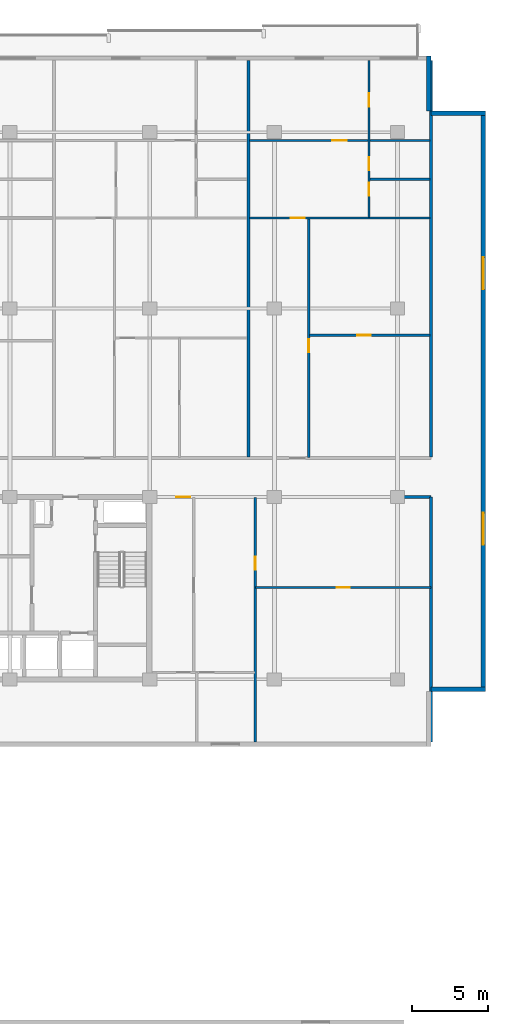
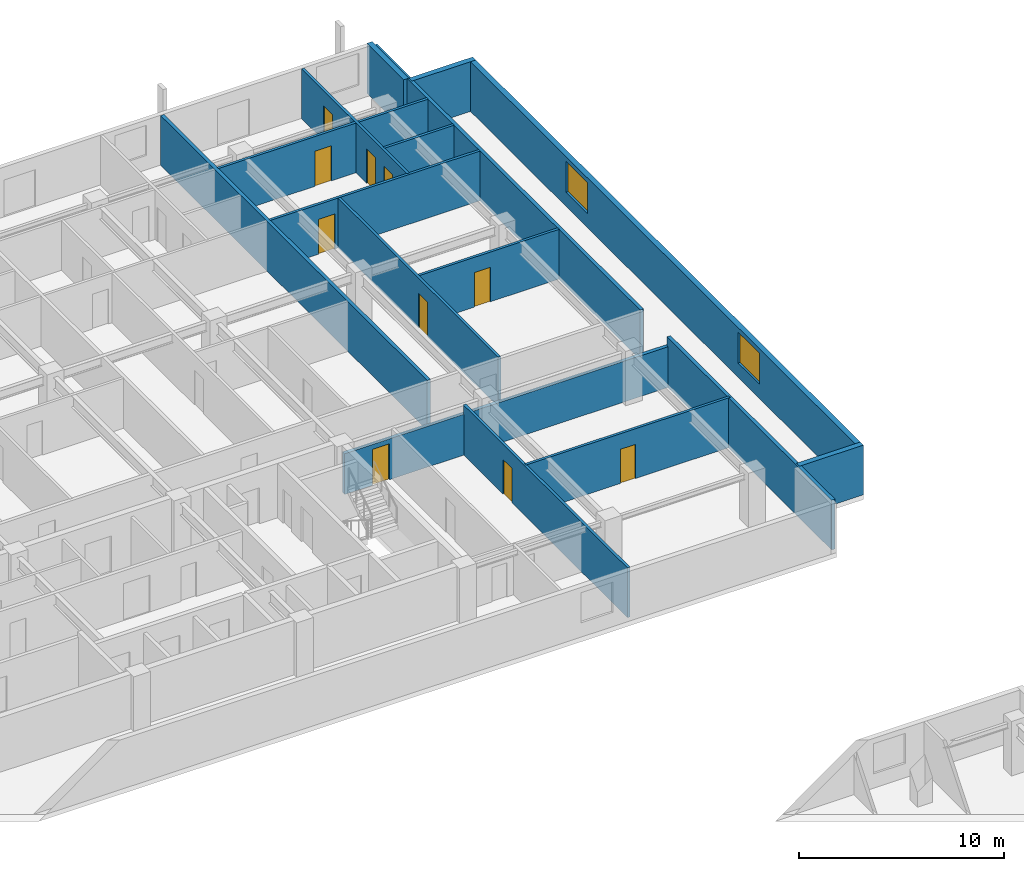
# One storey, part 15 of 21: 16 walls, 10 doors, 2 windows, 12 openings.
"""IFC4 building model written with IfcOpenShell, lengths in metres."""

from ifc_helpers import new_model, si_unit, direction, frame, frame_2d, origin, place, context, subcontext, project, spatial, rectangle, extrude, material, layer, layer_set, type_object, element, fill, save


model = new_model("IFC4")

# Units and contexts
model_context = context("Model", 3, precision=1e-05, world=origin(), true_north=direction((0.0, 1.0)))
body_context = subcontext(model_context, "Body", "Model", "MODEL_VIEW")
ifc_project = project(units=[si_unit("LENGTHUNIT", "METRE"), si_unit("AREAUNIT", "SQUARE_METRE"), si_unit("VOLUMEUNIT", "CUBIC_METRE"), si_unit("PLANEANGLEUNIT", "RADIAN"), si_unit("MASSUNIT", "GRAM", prefix="KILO")], contexts=[model_context])

# Site, building, storey
site_placement = place(None, origin())
site = spatial("IfcSite", under=ifc_project, at=site_placement, CompositionType="ELEMENT")
building_placement = place(site_placement, origin())
building = spatial("IfcBuilding", under=site, at=building_placement, Name="Korimba Cascade Residences", CompositionType="ELEMENT")
storey_placement = place(building_placement, frame((0.0, 0.0, 113.300048828125)))
storey = spatial("IfcBuildingStorey", under=building, at=storey_placement, Name="L32", CompositionType="ELEMENT", Elevation=113.300048828125)

# Wall
ifc_material_1 = material(Name="Precast concrete C40/50", Category="concrete")
ifc_layer_1 = layer(ifc_material_1, 0.300048828125)
ifc_layer_set_1 = layer_set([ifc_layer_1], Name="Precast concrete C40/50")
wall_type_1 = type_object("IfcWallType", Name="EW-STONE-300", PredefinedType="STANDARD", material=ifc_layer_set_1)
wall_1_placement = place(storey_placement, frame((130.60009765625, 54.550048828125, 0.0), z_axis=(0.0, 0.0, 1.0), x_axis=(1.0, 0.0, 0.0)))
element("IfcWall", 1, at=wall_1_placement, inside=storey, type_object=wall_type_1, Name="L32 T1 Perimeter Stone Wall E02", PredefinedType="STANDARD", context=body_context, shape_type="SweptSolid", body=[
    extrude(rectangle(XDim=3.599853515625, YDim=0.300048828125, at=frame_2d((1.7998046875, 0.0))), origin(), (0.0, 0.0, 1.0), 2.969970703125),
])

# Wall, openings, windows
wall_2_placement = place(storey_placement, frame((134.050048828125, 54.39990234375, 0.0), z_axis=(0.0, 0.0, 1.0), x_axis=(0.0, 1.0, 0.0)))
wall_2 = element("IfcWall", 2, at=wall_2_placement, inside=storey, type_object=wall_type_1, Name="L32 T1 Perimeter Stone Wall E03", PredefinedType="STANDARD", context=body_context, shape_type="SweptSolid", body=[
    extrude(rectangle(XDim=38.2001953125, YDim=0.300048828125, at=frame_2d((19.10009765625, 0.0))), origin(), (0.0, 0.0, 1.0), 2.969970703125),
])
opening_1_placement = place(wall_2_placement, frame((9.64599609375, 0.0, 0.85009765625)))
opening_1 = element("IfcOpeningElement", 3, at=opening_1_placement, cuts=wall_2, Name="Opening W-03", PredefinedType="OPENING", context=body_context, shape_type="SweptSolid", body=[
    extrude(rectangle(XDim=2.10009765625, YDim=1.85009765625, at=frame_2d((1.050048828125, 0.925048828125))), frame((0.0, 0.16015625, 0.0), z_axis=(0.0, -1.0, 0.0), x_axis=(1.0, 0.0, 0.0)), (0.0, 0.0, 1.0), 0.320068359375),
])
opening_2_placement = place(wall_2_placement, frame((26.4541015625, 0.0, 0.85009765625)))
opening_2 = element("IfcOpeningElement", 4, at=opening_2_placement, cuts=wall_2, Name="Opening W-03", PredefinedType="OPENING", context=body_context, shape_type="SweptSolid", body=[
    extrude(rectangle(XDim=2.10009765625, YDim=1.85009765625, at=frame_2d((1.050048828125, 0.925048828125))), frame((0.0, 0.16015625, 0.0), z_axis=(0.0, -1.0, 0.0), x_axis=(1.0, 0.0, 0.0)), (0.0, 0.0, 1.0), 0.320068359375),
])
ifc_material_2 = material(Name="Double-Glazed Aluminium Window", Category="aluminium")
window_type = type_object("IfcWindowType", Name="WIN-CRN-2100", PartitioningType="DOUBLE_PANEL_HORIZONTAL", PredefinedType="WINDOW", material=ifc_material_2)
window_1_placement = place(opening_1_placement, origin())
window_1 = element("IfcWindow", 5, at=window_1_placement, inside=storey, type_object=window_type, Name="L32 T1 End View Window 3.1", OverallHeight=1.85009765625, OverallWidth=2.10009765625, PartitioningType="DOUBLE_PANEL_HORIZONTAL", PredefinedType="WINDOW", context=body_context, shape_type="SweptSolid", body=[
    extrude(rectangle(XDim=2.10009765625, YDim=1.85009765625, at=frame_2d((1.050048828125, 0.925048828125))), frame((0.0, 0.030029296875, 0.0), z_axis=(0.0, -1.0, 0.0), x_axis=(1.0, 0.0, 0.0)), (0.0, 0.0, 1.0), 0.06005859375),
])
fill(opening_1, window_1)
window_2_placement = place(opening_2_placement, origin())
window_2 = element("IfcWindow", 6, at=window_2_placement, inside=storey, type_object=window_type, Name="L32 T1 End View Window 3.2", OverallHeight=1.85009765625, OverallWidth=2.10009765625, PartitioningType="DOUBLE_PANEL_HORIZONTAL", PredefinedType="WINDOW", context=body_context, shape_type="SweptSolid", body=[
    extrude(rectangle(XDim=2.10009765625, YDim=1.85009765625, at=frame_2d((1.050048828125, 0.925048828125))), frame((0.0, 0.030029296875, 0.0), z_axis=(0.0, -1.0, 0.0), x_axis=(1.0, 0.0, 0.0)), (0.0, 0.0, 1.0), 0.06005859375),
])
fill(opening_2, window_2)

# Walls
for number, where, z_axis, x_axis, name in (
    (7, (134.199951171875, 92.449951171875, 0.0), (0.0, 0.0, 1.0), (-1.0, 0.0, 0.0), "L32 T1 Perimeter Stone Wall E04"),
    (8, (130.449951171875, 92.60009765625, 0.0), (0.0, 0.0, 1.0), (0.0, 1.0, 0.0), "L32 T1 Perimeter Stone Wall E05"),
):
    element("IfcWall", number, at=place(storey_placement, frame(where, z_axis=z_axis, x_axis=x_axis)), inside=storey, type_object=wall_type_1, Name=name, PredefinedType="STANDARD", context=body_context, shape_type="SweptSolid", body=[
        extrude(rectangle(XDim=3.599853515625, YDim=0.300048828125, at=frame_2d((1.7998046875, 0.0))), origin(), (0.0, 0.0, 1.0), 2.969970703125),
    ])
ifc_layer_2 = layer(ifc_material_1, 0.199951171875)
ifc_layer_set_2 = layer_set([ifc_layer_2], Name="Precast concrete C40/50")
wall_type_2 = type_object("IfcWallType", Name="WAL-IT-200", PredefinedType="PARTITIONING", material=ifc_layer_set_2)
wall_3_placement = place(storey_placement, frame((130.60009765625, 51.10009765625, 0.0), z_axis=(0.0, 0.0, 1.0), x_axis=(0.0, 1.0, 0.0)))
element("IfcWall", 9, at=wall_3_placement, inside=storey, type_object=wall_type_2, Name="L32 Partition Wall WAL-L32-T1-FE-WR", PredefinedType="PARTITIONING", context=body_context, shape_type="SweptSolid", body=[
    extrude(rectangle(XDim=16.099853515625, YDim=0.199951171875, at=frame_2d((8.0498046875, 0.0))), origin(), (0.0, 0.0, 1.0), 2.969970703125),
])

# Wall, opening, door
wall_4_placement = place(storey_placement, frame((112.25, 67.199951171875, 0.0), z_axis=(0.0, 0.0, 1.0), x_axis=(1.0, 0.0, 0.0)))
wall_4 = element("IfcWall", 10, at=wall_4_placement, inside=storey, type_object=wall_type_2, Name="L32 Partition Wall WAL-L32-T1-FE-N", PredefinedType="PARTITIONING", context=body_context, shape_type="SweptSolid", body=[
    extrude(rectangle(XDim=18.35009765625, YDim=0.199951171875, at=frame_2d((9.175048828125, 0.0))), origin(), (0.0, 0.0, 1.0), 2.433349609375),
])
opening_3_placement = place(wall_4_placement, frame((1.580078125, 0.0, 0.0)))
opening_3 = element("IfcOpeningElement", 11, at=opening_3_placement, cuts=wall_4, Name="Opening D-UN1", PredefinedType="OPENING", context=body_context, shape_type="SweptSolid", body=[
    extrude(rectangle(XDim=0.949951171875, YDim=2.14990234375, at=frame_2d((0.47509765625, 1.074951171875))), frame((0.0, 0.10986328125, 0.0), z_axis=(0.0, -1.0, 0.0), x_axis=(1.0, 0.0, 0.0)), (0.0, 0.0, 1.0), 0.219970703125),
])
ifc_material_3 = material(Name="Fire-Rated Hardwood Apartment Entrance Door", Category="wood")
door_type_1 = type_object("IfcDoorType", Name="DR-FD60-950", OperationType="NOTDEFINED", PredefinedType="DOOR", material=ifc_material_3)
door_1_placement = place(opening_3_placement, origin())
door_1 = element("IfcDoor", 12, at=door_1_placement, inside=storey, type_object=door_type_1, Name="L32-T1-FE Entrance Door", OperationType="SINGLE_SWING_LEFT", OverallHeight=2.14990234375, OverallWidth=0.949951171875, PredefinedType="DOOR", context=body_context, shape_type="SweptSolid", body=[
    extrude(rectangle(XDim=0.949951171875, YDim=2.14990234375, at=frame_2d((0.47509765625, 1.074951171875))), frame((0.0, 0.02490234375, 0.0), z_axis=(0.0, -1.0, 0.0), x_axis=(1.0, 0.0, 0.0)), (0.0, 0.0, 1.0), 0.050048828125),
])
fill(opening_3, door_1)

# Walls
for number, where, z_axis, x_axis, name in (
    (13, (130.60009765625, 69.830078125, 0.0), (0.0, 0.0, 1.0), (0.0, 1.0, 0.0), "L32 Partition Wall WAL-L32-T1-BNDWR"),
    (14, (118.583984375, 69.830078125, 0.0), (0.0, 0.0, 1.0), (0.0, 1.0, 0.0), "L32 Partition Wall WAL-L32-T1-DEM-4"),
):
    element("IfcWall", number, at=place(storey_placement, frame(where, z_axis=z_axis, x_axis=x_axis)), inside=storey, type_object=wall_type_2, Name=name, PredefinedType="PARTITIONING", context=body_context, shape_type="SweptSolid", body=[
        extrude(rectangle(XDim=26.06982421875, YDim=0.199951171875, at=frame_2d((13.034912109375, 0.0))), origin(), (0.0, 0.0, 1.0), 2.969970703125),
    ])

# Wall, opening, door
ifc_material_4 = material(Name="Insulated Acoustic Stud Partition", Category="gypsum")
ifc_layer_3 = layer(ifc_material_4, 0.14990234375)
ifc_layer_set_3 = layer_set([ifc_layer_3], Name="Insulated Acoustic Stud Partition")
wall_type_3 = type_object("IfcWallType", Name="WAL-PART-150", PredefinedType="PARTITIONING", material=ifc_layer_set_3)
wall_5_placement = place(storey_placement, frame((119.050048828125, 61.25, 0.0), z_axis=(0.0, 0.0, 1.0), x_axis=(1.0, 0.0, 0.0)))
wall_5 = element("IfcWall", 15, at=wall_5_placement, inside=storey, type_object=wall_type_3, Name="L32 Partition Wall WAL-L32-T1-FE-STH", PredefinedType="PARTITIONING", context=body_context, shape_type="SweptSolid", body=[
    extrude(rectangle(XDim=11.550048828125, YDim=0.14990234375, at=frame_2d((5.77490234375, 0.0))), origin(), (0.0, 0.0, 1.0), 2.969970703125),
])
opening_4_placement = place(wall_5_placement, frame((5.35498046875, 0.0, 0.0)))
opening_4 = element("IfcOpeningElement", 16, at=opening_4_placement, cuts=wall_5, Name="Opening D-BT1", PredefinedType="OPENING", context=body_context, shape_type="SweptSolid", body=[
    extrude(rectangle(XDim=0.840087890625, YDim=2.0400390625, at=frame_2d((0.419921875, 1.02001953125))), frame((0.0, 0.0849609375, 0.0), z_axis=(0.0, -1.0, 0.0), x_axis=(1.0, 0.0, 0.0)), (0.0, 0.0, 1.0), 0.169921875),
])
ifc_material_5 = material(Name="Moisture-Resistant Bathroom Timber Door", Category="wood")
door_type_2 = type_object("IfcDoorType", Name="DR-INT-850", OperationType="NOTDEFINED", PredefinedType="DOOR", material=ifc_material_5)
door_2_placement = place(opening_4_placement, origin())
door_2 = element("IfcDoor", 17, at=door_2_placement, inside=storey, type_object=door_type_2, Name="L32-T1-FE Dressing Store Door", OperationType="SINGLE_SWING_RIGHT", OverallHeight=2.0400390625, OverallWidth=0.840087890625, PredefinedType="DOOR", context=body_context, shape_type="SweptSolid", body=[
    extrude(rectangle(XDim=0.840087890625, YDim=2.0400390625, at=frame_2d((0.419921875, 1.02001953125))), frame((0.0, 0.02490234375, 0.0), z_axis=(0.0, -1.0, 0.0), x_axis=(1.0, 0.0, 0.0)), (0.0, 0.0, 1.0), 0.050048828125),
])
fill(opening_4, door_2)

wall_6_placement = place(storey_placement, frame((119.050048828125, 51.10009765625, 0.0), z_axis=(0.0, 0.0, 1.0), x_axis=(0.0, 1.0, 0.0)))
wall_6 = element("IfcWall", 18, at=wall_6_placement, inside=storey, type_object=wall_type_3, Name="L32 Partition Wall WAL-L32-T1-FE-STV", PredefinedType="PARTITIONING", context=body_context, shape_type="SweptSolid", body=[
    extrude(rectangle(XDim=16.0498046875, YDim=0.14990234375, at=frame_2d((8.02490234375, 0.0))), origin(), (0.0, 0.0, 1.0), 2.969970703125),
])
opening_5_placement = place(wall_6_placement, frame((11.300048828125, 0.0, 0.0)))
opening_5 = element("IfcOpeningElement", 19, at=opening_5_placement, cuts=wall_6, Name="Opening D-IN2", PredefinedType="OPENING", context=body_context, shape_type="SweptSolid", body=[
    extrude(rectangle(XDim=0.8798828125, YDim=2.06005859375, at=frame_2d((0.43994140625, 1.030029296875))), frame((0.0, 0.0849609375, 0.0), z_axis=(0.0, -1.0, 0.0), x_axis=(1.0, 0.0, 0.0)), (0.0, 0.0, 1.0), 0.169921875),
])
ifc_material_6 = material(Name="Acoustic Timber Bedroom Door", Category="wood")
door_type_3 = type_object("IfcDoorType", Name="DR-INT-880", OperationType="NOTDEFINED", PredefinedType="DOOR", material=ifc_material_6)
door_3_placement = place(opening_5_placement, origin())
door_3 = element("IfcDoor", 20, at=door_3_placement, inside=storey, type_object=door_type_3, Name="L32-T1-FE Study Door", OperationType="SINGLE_SWING_LEFT", OverallHeight=2.06005859375, OverallWidth=0.8798828125, PredefinedType="DOOR", context=body_context, shape_type="SweptSolid", body=[
    extrude(rectangle(XDim=0.8798828125, YDim=2.06005859375, at=frame_2d((0.43994140625, 1.030029296875))), frame((0.0, 0.02490234375, 0.0), z_axis=(0.0, -1.0, 0.0), x_axis=(1.0, 0.0, 0.0)), (0.0, 0.0, 1.0), 0.050048828125),
])
fill(opening_5, door_3)

wall_7_placement = place(storey_placement, frame((122.614013671875, 77.840087890625, 0.0), z_axis=(0.0, 0.0, 1.0), x_axis=(1.0, 0.0, 0.0)))
wall_7 = element("IfcWall", 21, at=wall_7_placement, inside=storey, type_object=wall_type_3, Name="L32 Partition Wall WAL-L32-T1-U05-FMH", PredefinedType="PARTITIONING", context=body_context, shape_type="SweptSolid", body=[
    extrude(rectangle(XDim=7.906005859375, YDim=0.14990234375, at=frame_2d((3.953125, 0.0))), origin(), (0.0, 0.0, 1.0), 2.969970703125),
])
opening_6_placement = place(wall_7_placement, frame((3.133544921875, 0.0, 0.0)))
opening_6 = element("IfcOpeningElement", 22, at=opening_6_placement, cuts=wall_7, Name="Opening D-IN2", PredefinedType="OPENING", context=body_context, shape_type="SweptSolid", body=[
    extrude(rectangle(XDim=0.8798828125, YDim=2.06005859375, at=frame_2d((0.43994140625, 1.030029296875))), frame((0.0, 0.0849609375, 0.0), z_axis=(0.0, -1.0, 0.0), x_axis=(1.0, 0.0, 0.0)), (0.0, 0.0, 1.0), 0.169921875),
])
door_4_placement = place(opening_6_placement, origin())
door_4 = element("IfcDoor", 23, at=door_4_placement, inside=storey, type_object=door_type_3, Name="L32-T1-U05 Library Salon Door", OperationType="SINGLE_SWING_RIGHT", OverallHeight=2.06005859375, OverallWidth=0.8798828125, PredefinedType="DOOR", context=body_context, shape_type="SweptSolid", body=[
    extrude(rectangle(XDim=0.8798828125, YDim=2.06005859375, at=frame_2d((0.43994140625, 1.030029296875))), frame((0.0, 0.02490234375, 0.0), z_axis=(0.0, -1.0, 0.0), x_axis=(1.0, 0.0, 0.0)), (0.0, 0.0, 1.0), 0.050048828125),
])
fill(opening_6, door_4)

wall_8_placement = place(storey_placement, frame((122.553955078125, 69.81005859375, 0.0), z_axis=(0.0, 0.0, 1.0), x_axis=(0.0, 1.0, 0.0)))
wall_8 = element("IfcWall", 24, at=wall_8_placement, inside=storey, type_object=wall_type_3, Name="L32 Partition Wall WAL-L32-T1-U05-FV", PredefinedType="PARTITIONING", context=body_context, shape_type="SweptSolid", body=[
    extrude(rectangle(XDim=15.699951171875, YDim=0.14990234375, at=frame_2d((7.85009765625, 0.0))), origin(), (0.0, 0.0, 1.0), 2.969970703125),
])
opening_7_placement = place(wall_8_placement, frame((6.89990234375, 0.0, 0.0)))
opening_7 = element("IfcOpeningElement", 25, at=opening_7_placement, cuts=wall_8, Name="Opening D-IN2", PredefinedType="OPENING", context=body_context, shape_type="SweptSolid", body=[
    extrude(rectangle(XDim=0.8798828125, YDim=2.06005859375, at=frame_2d((0.43994140625, 1.030029296875))), frame((0.0, 0.0849609375, 0.0), z_axis=(0.0, -1.0, 0.0), x_axis=(1.0, 0.0, 0.0)), (0.0, 0.0, 1.0), 0.169921875),
])
door_5_placement = place(opening_7_placement, origin())
door_5 = element("IfcDoor", 26, at=door_5_placement, inside=storey, type_object=door_type_3, Name="L32-T1-U05 Media Lounge Door", OperationType="SINGLE_SWING_LEFT", OverallHeight=2.06005859375, OverallWidth=0.8798828125, PredefinedType="DOOR", context=body_context, shape_type="SweptSolid", body=[
    extrude(rectangle(XDim=0.8798828125, YDim=2.06005859375, at=frame_2d((0.43994140625, 1.030029296875))), frame((0.0, 0.02490234375, 0.0), z_axis=(0.0, -1.0, 0.0), x_axis=(1.0, 0.0, 0.0)), (0.0, 0.0, 1.0), 0.050048828125),
])
fill(opening_7, door_5)

# Wall
wall_9_placement = place(storey_placement, frame((126.580078125, 88.090087890625, 0.0), z_axis=(0.0, 0.0, 1.0), x_axis=(1.0, 0.0, 0.0)))
element("IfcWall", 27, at=wall_9_placement, inside=storey, type_object=wall_type_3, Name="L32 Partition Wall WAL-L32-T1-U05-BLDIV", PredefinedType="PARTITIONING", context=body_context, shape_type="SweptSolid", body=[
    extrude(rectangle(XDim=3.93994140625, YDim=0.14990234375, at=frame_2d((1.969970703125, 0.0))), origin(), (0.0, 0.0, 1.0), 2.969970703125),
])

# Wall, openings, doors
wall_10_placement = place(storey_placement, frame((126.52001953125, 85.590087890625, 0.0), z_axis=(0.0, 0.0, 1.0), x_axis=(0.0, 1.0, 0.0)))
wall_10 = element("IfcWall", 28, at=wall_10_placement, inside=storey, type_object=wall_type_3, Name="L32 Partition Wall WAL-L32-T1-U05-V1", PredefinedType="PARTITIONING", context=body_context, shape_type="SweptSolid", body=[
    extrude(rectangle(XDim=10.309814453125, YDim=0.14990234375, at=frame_2d((5.15478515625, 0.0))), origin(), (0.0, 0.0, 1.0), 2.969970703125),
])
opening_8_placement = place(wall_10_placement, frame((1.430419921875, 0.0, 0.0)))
opening_8 = element("IfcOpeningElement", 29, at=opening_8_placement, cuts=wall_10, Name="Opening D-BT1", PredefinedType="OPENING", context=body_context, shape_type="SweptSolid", body=[
    extrude(rectangle(XDim=0.840087890625, YDim=2.0400390625, at=frame_2d((0.419921875, 1.02001953125))), frame((0.0, 0.0849609375, 0.0), z_axis=(0.0, -1.0, 0.0), x_axis=(1.0, 0.0, 0.0)), (0.0, 0.0, 1.0), 0.169921875),
])
opening_9_placement = place(wall_10_placement, frame((3.1015625, 0.0, 0.0)))
opening_9 = element("IfcOpeningElement", 30, at=opening_9_placement, cuts=wall_10, Name="Opening D-BT1", PredefinedType="OPENING", context=body_context, shape_type="SweptSolid", body=[
    extrude(rectangle(XDim=0.840087890625, YDim=2.0400390625, at=frame_2d((0.419921875, 1.02001953125))), frame((0.0, 0.0849609375, 0.0), z_axis=(0.0, -1.0, 0.0), x_axis=(1.0, 0.0, 0.0)), (0.0, 0.0, 1.0), 0.169921875),
])
opening_10_placement = place(wall_10_placement, frame((7.28955078125, 0.0, 0.0)))
opening_10 = element("IfcOpeningElement", 31, at=opening_10_placement, cuts=wall_10, Name="Opening D-IN2", PredefinedType="OPENING", context=body_context, shape_type="SweptSolid", body=[
    extrude(rectangle(XDim=0.8798828125, YDim=2.06005859375, at=frame_2d((0.43994140625, 1.030029296875))), frame((0.0, 0.0849609375, 0.0), z_axis=(0.0, -1.0, 0.0), x_axis=(1.0, 0.0, 0.0)), (0.0, 0.0, 1.0), 0.169921875),
])
door_6_placement = place(opening_8_placement, origin())
door_6 = element("IfcDoor", 32, at=door_6_placement, inside=storey, type_object=door_type_2, Name="L32-T1-U05 Bathroom Door", OperationType="SINGLE_SWING_RIGHT", OverallHeight=2.0400390625, OverallWidth=0.840087890625, PredefinedType="DOOR", context=body_context, shape_type="SweptSolid", body=[
    extrude(rectangle(XDim=0.840087890625, YDim=2.0400390625, at=frame_2d((0.419921875, 1.02001953125))), frame((0.0, 0.02490234375, 0.0), z_axis=(0.0, -1.0, 0.0), x_axis=(1.0, 0.0, 0.0)), (0.0, 0.0, 1.0), 0.050048828125),
])
fill(opening_8, door_6)
door_7_placement = place(opening_9_placement, origin())
door_7 = element("IfcDoor", 33, at=door_7_placement, inside=storey, type_object=door_type_2, Name="L32-T1-U05 Laundry Door", OperationType="SINGLE_SWING_LEFT", OverallHeight=2.0400390625, OverallWidth=0.840087890625, PredefinedType="DOOR", context=body_context, shape_type="SweptSolid", body=[
    extrude(rectangle(XDim=0.840087890625, YDim=2.0400390625, at=frame_2d((0.419921875, 1.02001953125))), frame((0.0, 0.02490234375, 0.0), z_axis=(0.0, -1.0, 0.0), x_axis=(1.0, 0.0, 0.0)), (0.0, 0.0, 1.0), 0.050048828125),
])
fill(opening_9, door_7)
door_8_placement = place(opening_10_placement, origin())
door_8 = element("IfcDoor", 34, at=door_8_placement, inside=storey, type_object=door_type_3, Name="L32-T1-U05 Bedroom 1 Door", OperationType="SINGLE_SWING_RIGHT", OverallHeight=2.06005859375, OverallWidth=0.8798828125, PredefinedType="DOOR", context=body_context, shape_type="SweptSolid", body=[
    extrude(rectangle(XDim=0.8798828125, YDim=2.06005859375, at=frame_2d((0.43994140625, 1.030029296875))), frame((0.0, 0.02490234375, 0.0), z_axis=(0.0, -1.0, 0.0), x_axis=(1.0, 0.0, 0.0)), (0.0, 0.0, 1.0), 0.050048828125),
])
fill(opening_10, door_8)

# Wall, opening, door
wall_11_placement = place(storey_placement, frame((118.663818359375, 85.550048828125, 0.0), z_axis=(0.0, 0.0, 1.0), x_axis=(1.0, 0.0, 0.0)))
wall_11 = element("IfcWall", 35, at=wall_11_placement, inside=storey, type_object=wall_type_3, Name="L32 Partition Wall WAL-L32-T1-U05-MW", PredefinedType="PARTITIONING", context=body_context, shape_type="SweptSolid", body=[
    extrude(rectangle(XDim=11.856201171875, YDim=0.14990234375, at=frame_2d((5.92822265625, 0.0))), origin(), (0.0, 0.0, 1.0), 2.969970703125),
])
opening_11_placement = place(wall_11_placement, frame((2.719970703125, 0.0, 0.0)))
opening_11 = element("IfcOpeningElement", 36, at=opening_11_placement, cuts=wall_11, Name="Opening D-IN1", PredefinedType="OPENING", context=body_context, shape_type="SweptSolid", body=[
    extrude(rectangle(XDim=0.919921875, YDim=2.080078125, at=frame_2d((0.4599609375, 1.0400390625))), frame((0.0, 0.0849609375, 0.0), z_axis=(0.0, -1.0, 0.0), x_axis=(1.0, 0.0, 0.0)), (0.0, 0.0, 1.0), 0.169921875),
])
ifc_material_7 = material(Name="Acoustic Timber Living Door", Category="wood")
door_type_4 = type_object("IfcDoorType", Name="DR-INT-920", OperationType="NOTDEFINED", PredefinedType="DOOR", material=ifc_material_7)
door_9_placement = place(opening_11_placement, origin())
door_9 = element("IfcDoor", 37, at=door_9_placement, inside=storey, type_object=door_type_4, Name="L32-T1-U05 Kitchen Archway Door", OperationType="SINGLE_SWING_LEFT", OverallHeight=2.080078125, OverallWidth=0.919921875, PredefinedType="DOOR", context=body_context, shape_type="SweptSolid", body=[
    extrude(rectangle(XDim=0.919921875, YDim=2.080078125, at=frame_2d((0.4599609375, 1.0400390625))), frame((0.0, 0.02490234375, 0.0), z_axis=(0.0, -1.0, 0.0), x_axis=(1.0, 0.0, 0.0)), (0.0, 0.0, 1.0), 0.050048828125),
])
fill(opening_11, door_9)

wall_12_placement = place(storey_placement, frame((118.663818359375, 90.64990234375, 0.0), z_axis=(0.0, 0.0, 1.0), x_axis=(1.0, 0.0, 0.0)))
wall_12 = element("IfcWall", 38, at=wall_12_placement, inside=storey, type_object=wall_type_3, Name="L32 Partition Wall WAL-L32-T1-U05-HZ", PredefinedType="PARTITIONING", context=body_context, shape_type="SweptSolid", body=[
    extrude(rectangle(XDim=11.856201171875, YDim=0.14990234375, at=frame_2d((5.92822265625, 0.0))), origin(), (0.0, 0.0, 1.0), 2.969970703125),
])
opening_12_placement = place(wall_12_placement, frame((5.4580078125, 0.0, 0.0)))
opening_12 = element("IfcOpeningElement", 39, at=opening_12_placement, cuts=wall_12, Name="Opening D-IN0", PredefinedType="OPENING", context=body_context, shape_type="SweptSolid", body=[
    extrude(rectangle(XDim=0.93994140625, YDim=2.10009765625, at=frame_2d((0.469970703125, 1.050048828125))), frame((0.0, 0.0849609375, 0.0), z_axis=(0.0, -1.0, 0.0), x_axis=(1.0, 0.0, 0.0)), (0.0, 0.0, 1.0), 0.169921875),
])
ifc_material_8 = material(Name="Acoustic Timber Living Archway Door", Category="wood")
door_type_5 = type_object("IfcDoorType", Name="DR-INT-950", OperationType="NOTDEFINED", PredefinedType="DOOR", material=ifc_material_8)
door_10_placement = place(opening_12_placement, origin())
door_10 = element("IfcDoor", 40, at=door_10_placement, inside=storey, type_object=door_type_5, Name="L32-T1-U05 Living Archway Door", OperationType="SINGLE_SWING_RIGHT", OverallHeight=2.10009765625, OverallWidth=0.93994140625, PredefinedType="DOOR", context=body_context, shape_type="SweptSolid", body=[
    extrude(rectangle(XDim=0.93994140625, YDim=2.10009765625, at=frame_2d((0.469970703125, 1.050048828125))), frame((0.0, 0.02490234375, 0.0), z_axis=(0.0, -1.0, 0.0), x_axis=(1.0, 0.0, 0.0)), (0.0, 0.0, 1.0), 0.050048828125),
])
fill(opening_12, door_10)

save(model, "model.ifc")
